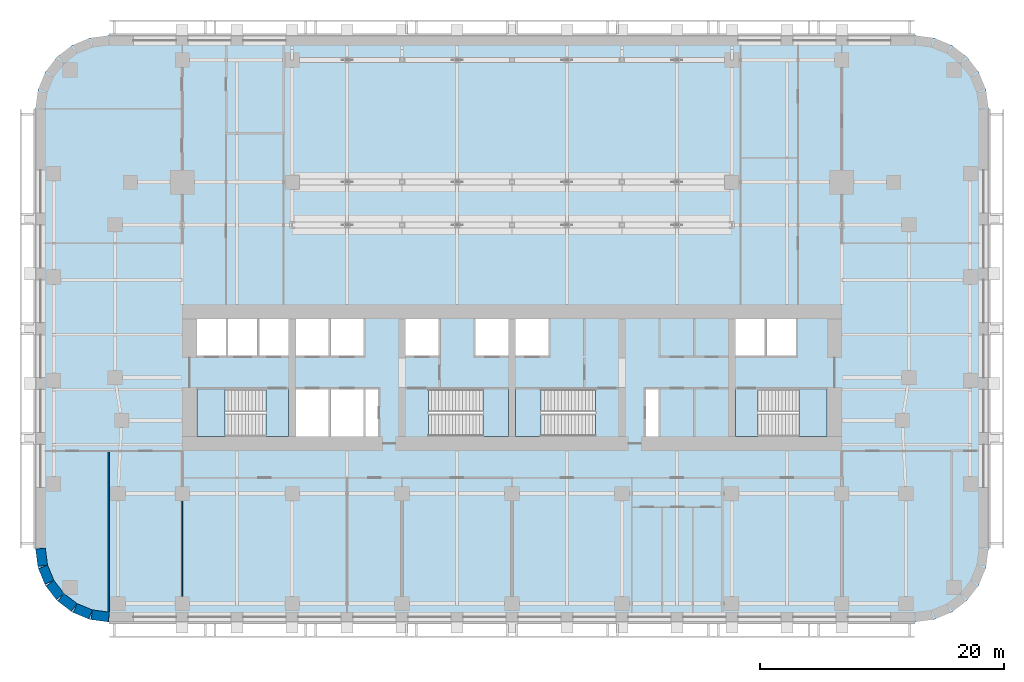
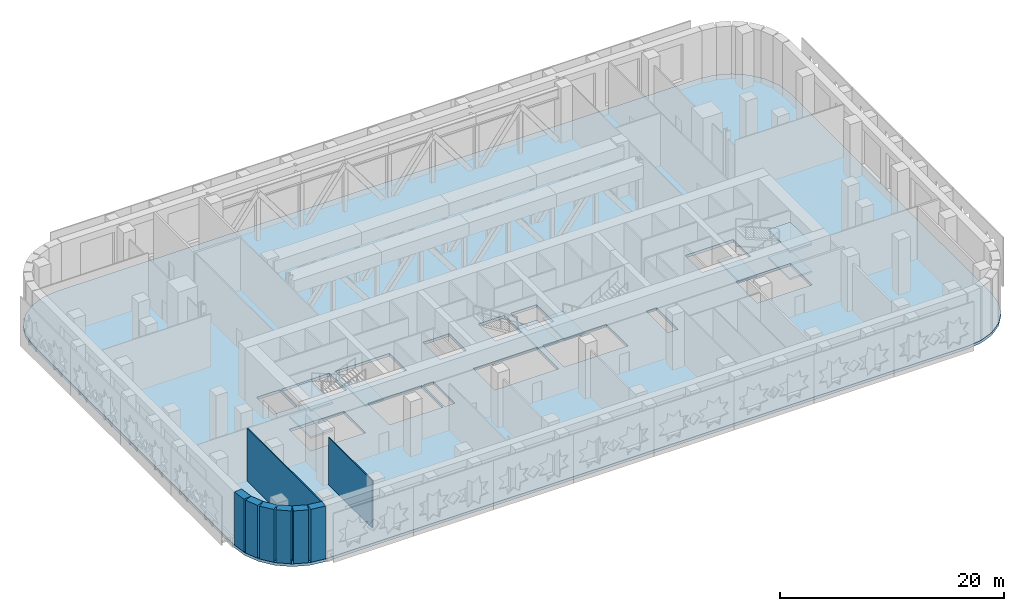
# One storey, part 4 of 15: 9 slabs, 8 walls, 4 elements without a shape of their own.
"""IFC4 building model written with IfcOpenShell, lengths in metres."""

from ifc_helpers import new_model, si_unit, direction, frame, frame_2d, origin, place, context, subcontext, project, spatial, polyline, rectangle, outline, extrude, material, layer, layer_set, type_object, element, aggregate, save


model = new_model("IFC4")

# Units and contexts
model_context = context("Model", 3, precision=1e-05, world=origin(), true_north=direction((0.0, 1.0)))
body_context = subcontext(model_context, "Body", "Model", "MODEL_VIEW")
ifc_project = project(units=[si_unit("LENGTHUNIT", "METRE"), si_unit("AREAUNIT", "SQUARE_METRE"), si_unit("VOLUMEUNIT", "CUBIC_METRE"), si_unit("PLANEANGLEUNIT", "RADIAN"), si_unit("MASSUNIT", "GRAM", prefix="KILO")], contexts=[model_context])

# Site, building, storey
site_placement = place(None, origin())
site = spatial("IfcSite", under=ifc_project, at=site_placement, CompositionType="ELEMENT")
building_placement = place(site_placement, origin())
building = spatial("IfcBuilding", under=site, at=building_placement, Name="Zellij Exchange Tower", CompositionType="ELEMENT")
storey_placement = place(building_placement, frame((0.0, 0.0, 33.0)))
storey = spatial("IfcBuildingStorey", under=building, at=storey_placement, Name="L05", CompositionType="ELEMENT", Elevation=33.0)

# Stair, slabs
ifc_material_1 = material(Name="Concrete C40/50", Category="concrete")
stair_type = type_object("IfcStairType", Name="CORE-ST exit stair 1850 wide", PredefinedType="HALF_TURN_STAIR", material=ifc_material_1)
stair_1_placement = place(storey_placement, origin())
stair_1 = element("IfcStair", 1, at=stair_1_placement, inside=storey, type_object=stair_type, Name="L05 exit stair ST1", PredefinedType="HALF_TURN_STAIR")
ifc_layer_1 = layer(ifc_material_1, 0.199951171875)
ifc_layer_set_1 = layer_set([ifc_layer_1], Name="Concrete C40/50")
slab_type_1 = type_object("IfcSlabType", Name="CORE-SL stair landing 200", PredefinedType="LANDING", material=ifc_layer_set_1)
slab_1_placement = place(storey_placement, frame((0.0, 0.0, 1.300048828125)))
slab_1 = element("IfcSlab", 2, at=slab_1_placement, type_object=slab_type_1, Name="ST1 landing 1", PredefinedType="LANDING", context=body_context, shape_type="SweptSolid", body=[
    extrude(outline(polyline([(-23.510009765625, -8.949951171875), (-25.800048828125, -8.949951171875), (-25.800048828125, -12.800048828125), (-23.510009765625, -12.800048828125), (-23.510009765625, -8.949951171875)])), origin(), (0.0, 0.0, 1.0), 0.199951171875),
])
slab_2_placement = place(storey_placement, frame((0.0, 0.0, 2.800048828125)))
slab_2 = element("IfcSlab", 3, at=slab_2_placement, type_object=slab_type_1, Name="ST1 landing 2", PredefinedType="LANDING", context=body_context, shape_type="SweptSolid", body=[
    extrude(outline(polyline([(-18.300048828125, -8.949951171875), (-20.14990234375, -8.949951171875), (-20.14990234375, -12.800048828125), (-18.300048828125, -12.800048828125), (-18.300048828125, -8.949951171875)])), origin(), (0.0, 0.0, 1.0), 0.199951171875),
])
slab_3_placement = place(storey_placement, frame((0.0, 0.0, 4.300048828125)))
slab_3 = element("IfcSlab", 4, at=slab_3_placement, type_object=slab_type_1, Name="ST1 landing 3", PredefinedType="LANDING", context=body_context, shape_type="SweptSolid", body=[
    extrude(outline(polyline([(-23.510009765625, -8.949951171875), (-25.800048828125, -8.949951171875), (-25.800048828125, -12.800048828125), (-23.510009765625, -12.800048828125), (-23.510009765625, -8.949951171875)])), origin(), (0.0, 0.0, 1.0), 0.199951171875),
])
aggregate(stair_1, [slab_1, slab_2, slab_3])

# Stair, slab
stair_2_placement = place(storey_placement, origin())
stair_2 = element("IfcStair", 5, at=stair_2_placement, inside=storey, type_object=stair_type, Name="L05 exit stair ST2", PredefinedType="HALF_TURN_STAIR")
slab_4_placement = place(storey_placement, frame((0.0, 0.0, 2.800048828125)))
slab_4 = element("IfcSlab", 6, at=slab_4_placement, type_object=slab_type_1, Name="ST2 landing 1", PredefinedType="LANDING", context=body_context, shape_type="SweptSolid", body=[
    extrude(outline(polyline([(-2.3701171875, -12.800048828125), (-0.300048828125, -12.800048828125), (-0.300048828125, -8.949951171875), (-2.3701171875, -8.949951171875), (-2.3701171875, -12.800048828125)])), origin(), (0.0, 0.0, 1.0), 0.199951171875),
])
aggregate(stair_2, [slab_4])

stair_3_placement = place(storey_placement, origin())
stair_3 = element("IfcStair", 7, at=stair_3_placement, inside=storey, type_object=stair_type, Name="L05 exit stair ST3", PredefinedType="HALF_TURN_STAIR")
slab_5_placement = place(storey_placement, frame((0.0, 0.0, 2.800048828125)))
slab_5 = element("IfcSlab", 8, at=slab_5_placement, type_object=slab_type_1, Name="ST3 landing 1", PredefinedType="LANDING", context=body_context, shape_type="SweptSolid", body=[
    extrude(outline(polyline([(2.3701171875, -8.949951171875), (0.300048828125, -8.949951171875), (0.300048828125, -12.800048828125), (2.3701171875, -12.800048828125), (2.3701171875, -8.949951171875)])), origin(), (0.0, 0.0, 1.0), 0.199951171875),
])
aggregate(stair_3, [slab_5])

# Stair, slabs
stair_4_placement = place(storey_placement, origin())
stair_4 = element("IfcStair", 9, at=stair_4_placement, inside=storey, type_object=stair_type, Name="L05 exit stair ST4", PredefinedType="HALF_TURN_STAIR")
slab_6_placement = place(storey_placement, frame((0.0, 0.0, 1.300048828125)))
slab_6 = element("IfcSlab", 10, at=slab_6_placement, type_object=slab_type_1, Name="ST4 landing 1", PredefinedType="LANDING", context=body_context, shape_type="SweptSolid", body=[
    extrude(outline(polyline([(23.510009765625, -12.800048828125), (25.800048828125, -12.800048828125), (25.800048828125, -8.949951171875), (23.510009765625, -8.949951171875), (23.510009765625, -12.800048828125)])), origin(), (0.0, 0.0, 1.0), 0.199951171875),
])
slab_7_placement = place(storey_placement, frame((0.0, 0.0, 2.800048828125)))
slab_7 = element("IfcSlab", 11, at=slab_7_placement, type_object=slab_type_1, Name="ST4 landing 2", PredefinedType="LANDING", context=body_context, shape_type="SweptSolid", body=[
    extrude(outline(polyline([(18.300048828125, -12.800048828125), (20.14990234375, -12.800048828125), (20.14990234375, -8.949951171875), (18.300048828125, -8.949951171875), (18.300048828125, -12.800048828125)])), origin(), (0.0, 0.0, 1.0), 0.199951171875),
])
slab_8_placement = place(storey_placement, frame((0.0, 0.0, 4.300048828125)))
slab_8 = element("IfcSlab", 12, at=slab_8_placement, type_object=slab_type_1, Name="ST4 landing 3", PredefinedType="LANDING", context=body_context, shape_type="SweptSolid", body=[
    extrude(outline(polyline([(23.510009765625, -12.800048828125), (25.800048828125, -12.800048828125), (25.800048828125, -8.949951171875), (23.510009765625, -8.949951171875), (23.510009765625, -12.800048828125)])), origin(), (0.0, 0.0, 1.0), 0.199951171875),
])
aggregate(stair_4, [slab_6, slab_7, slab_8])

# Slab
ifc_material_2 = material(Name="Concrete C50/60", Category="concrete")
ifc_layer_2 = layer(ifc_material_2, 0.300048828125)
ifc_layer_set_2 = layer_set([ifc_layer_2], Name="Concrete C50/60")
slab_type_2 = type_object("IfcSlabType", Name="STR-FLOOR SLAB 300 C50/60", PredefinedType="FLOOR", material=ifc_layer_set_2)
slab_9_placement = place(storey_placement, frame((0.0, 0.0, -0.300048828125)))
element("IfcSlab", 13, at=slab_9_placement, inside=storey, type_object=slab_type_2, Name="Floor L05", PredefinedType="FLOOR", context=body_context, shape_type="SweptSolid", body=[
    extrude(outline(polyline([(-33.0, -28.0), (-34.552978515625, -27.795654296875), (-36.0, -27.1962890625), (-37.24267578125, -26.24267578125), (-38.1962890625, -25.0), (-38.795654296875, -23.552978515625), (-39.0, -22.0), (-39.0, 14.0), (-38.795654296875, 15.552978515625), (-38.1962890625, 17.0), (-37.24267578125, 18.24267578125), (-36.0, 19.1962890625), (-34.552978515625, 19.795654296875), (-33.0, 20.0), (33.0, 20.0), (34.552978515625, 19.795654296875), (36.0, 19.1962890625), (37.24267578125, 18.24267578125), (38.1962890625, 17.0), (38.795654296875, 15.552978515625), (39.0, 14.0), (39.0, -22.0), (38.795654296875, -23.552978515625), (38.1962890625, -25.0), (37.24267578125, -26.24267578125), (36.0, -27.1962890625), (34.552978515625, -27.795654296875), (33.0, -28.0), (-33.0, -28.0)]), holes=[polyline([(-25.800048828125, -8.949951171875), (-25.800048828125, -12.800048828125), (-20.153076171875, -12.800048828125), (-20.153076171875, -8.949951171875), (-25.800048828125, -8.949951171875)]), polyline([(-12.14990234375, -8.949951171875), (-17.699951171875, -8.949951171875), (-17.699951171875, -12.800048828125), (-12.14990234375, -12.800048828125), (-12.14990234375, -8.949951171875)]), polyline([(-10.949951171875, -8.949951171875), (-12.0, -8.949951171875), (-12.0, -12.800048828125), (-10.949951171875, -12.800048828125), (-10.949951171875, -8.949951171875)]), polyline([(-23.39990234375, -3.199951171875), (-25.800048828125, -3.199951171875), (-25.800048828125, -6.22509765625), (-23.39990234375, -6.22509765625), (-23.39990234375, -3.199951171875)]), polyline([(-18.300048828125, -3.199951171875), (-23.25, -3.199951171875), (-23.25, -6.22509765625), (-18.300048828125, -6.22509765625), (-18.300048828125, -3.199951171875)]), polyline([(-12.14990234375, -3.199951171875), (-17.699951171875, -3.199951171875), (-17.699951171875, -6.22509765625), (-12.14990234375, -6.22509765625), (-12.14990234375, -3.199951171875)]), polyline([(-6.0, -3.199951171875), (-8.699951171875, -3.199951171875), (-8.699951171875, -6.22509765625), (-6.0, -6.22509765625), (-6.0, -3.199951171875)]), polyline([(-6.846923828125, -8.949951171875), (-6.846923828125, -12.800048828125), (-0.300048828125, -12.800048828125), (-0.300048828125, -8.949951171875), (-6.846923828125, -8.949951171875)]), polyline([(6.846923828125, -8.949951171875), (0.300048828125, -8.949951171875), (0.300048828125, -12.800048828125), (6.846923828125, -12.800048828125), (6.846923828125, -8.949951171875)]), polyline([(12.0, -8.949951171875), (10.949951171875, -8.949951171875), (10.949951171875, -12.800048828125), (12.0, -12.800048828125), (12.0, -8.949951171875)]), polyline([(25.800048828125, -8.949951171875), (20.153076171875, -8.949951171875), (20.153076171875, -12.800048828125), (25.800048828125, -12.800048828125), (25.800048828125, -8.949951171875)]), polyline([(-0.300048828125, -3.199951171875), (-3.0, -3.199951171875), (-3.0, -6.22509765625), (-0.300048828125, -6.22509765625), (-0.300048828125, -3.199951171875)]), polyline([(3.0, -3.199951171875), (0.300048828125, -3.199951171875), (0.300048828125, -6.22509765625), (3.0, -6.22509765625), (3.0, -3.199951171875)]), polyline([(23.25, -3.199951171875), (18.300048828125, -3.199951171875), (18.300048828125, -6.22509765625), (23.25, -6.22509765625), (23.25, -3.199951171875)])]), origin(), (0.0, 0.0, 1.0), 0.300048828125),
])

# Walls
ifc_material_3 = material(Name="Precast concrete C40/50", Category="concrete")
ifc_layer_3 = layer(ifc_material_3, 0.800048828125)
ifc_layer_set_3 = layer_set([ifc_layer_3], Name="Precast concrete C40/50")
wall_type_1 = type_object("IfcWallType", Name="ENV-EW1 Precast stone-piered wall 800", PredefinedType="SOLIDWALL", material=ifc_layer_set_3)
wall_1_placement = place(storey_placement, frame((-38.5966796875, -21.999755859375, 0.0), z_axis=(0.0, 0.0, 1.0), x_axis=(0.130517283865, -0.99144603414, 0.0)))
element("IfcWall", 14, at=wall_1_placement, inside=storey, type_object=wall_type_1, Name="fac.L05.22", PredefinedType="SOLIDWALL", context=body_context, shape_type="SweptSolid", body=[
    extrude(rectangle(XDim=1.408447265625, YDim=0.800048828125, at=frame_2d((0.7041015625, 0.0))), origin(), (0.0, 0.0, 1.0), 5.75),
])
wall_2_placement = place(storey_placement, frame((-38.3857421875, -23.497314453125, 0.0), z_axis=(0.0, 0.0, 1.0), x_axis=(0.38276009378, -0.923847774587, 0.0)))
element("IfcWall", 15, at=wall_2_placement, inside=storey, type_object=wall_type_1, Name="fac.L05.23", PredefinedType="SOLIDWALL", context=body_context, shape_type="SweptSolid", body=[
    extrude(rectangle(XDim=1.35546875, YDim=0.800048828125, at=frame_2d((0.677734375, 0.0))), origin(), (0.0, 0.0, 1.0), 5.75),
])
for number, where, z_axis, x_axis, name in (
    (16, (-37.814697265625, -24.840087890625, 0.0), (0.0, 0.0, 1.0), (0.608866226366, -0.793272915452, 0.0), "fac.L05.24"),
    (17, (-36.91552734375, -25.9892578125, 0.0), (0.0, 0.0, 1.0), (0.793272915452, -0.608866226366, 0.0), "fac.L05.25"),
):
    element("IfcWall", number, at=place(storey_placement, frame(where, z_axis=z_axis, x_axis=x_axis)), inside=storey, type_object=wall_type_1, Name=name, PredefinedType="SOLIDWALL", context=body_context, shape_type="SweptSolid", body=[
        extrude(rectangle(XDim=1.355712890625, YDim=0.800048828125, at=frame_2d((0.677734375, 0.0))), origin(), (0.0, 0.0, 1.0), 5.75),
    ])
wall_3_placement = place(storey_placement, frame((-35.74951171875, -26.866943359375, 0.0), z_axis=(0.0, 0.0, 1.0), x_axis=(0.923847774587, -0.38276009378, 0.0)))
element("IfcWall", 18, at=wall_3_placement, inside=storey, type_object=wall_type_1, Name="fac.L05.26", PredefinedType="SOLIDWALL", context=body_context, shape_type="SweptSolid", body=[
    extrude(rectangle(XDim=1.35546875, YDim=0.800048828125, at=frame_2d((0.677734375, 0.0))), origin(), (0.0, 0.0, 1.0), 5.75),
])
wall_4_placement = place(storey_placement, frame((-34.396240234375, -27.412841796875, 0.0), z_axis=(0.0, 0.0, 1.0), x_axis=(0.99144603414, -0.130517283865, 0.0)))
element("IfcWall", 19, at=wall_4_placement, inside=storey, type_object=wall_type_1, Name="fac.L05.27", PredefinedType="SOLIDWALL", context=body_context, shape_type="SweptSolid", body=[
    extrude(rectangle(XDim=1.408447265625, YDim=0.800048828125, at=frame_2d((0.7041015625, 0.0))), origin(), (0.0, 0.0, 1.0), 5.75),
])
ifc_material_4 = material(Name="Gypsum board partition on steel studs", Category="steel")
ifc_layer_4 = layer(ifc_material_4, 0.10009765625)
ifc_layer_set_4 = layer_set([ifc_layer_4], Name="Gypsum board partition on steel studs")
wall_type_2 = type_object("IfcWallType", Name="FIT-PARTITION-100", PredefinedType="PARTITIONING", material=ifc_layer_set_4)
wall_5_placement = place(storey_placement, frame((-27.0, -25.89990234375, 0.0), z_axis=(0.0, 0.0, 1.0), x_axis=(0.0, 1.0, 0.0)))
element("IfcWall", 20, at=wall_5_placement, inside=storey, type_object=wall_type_2, Name="FIT-PARTITION-100 001", PredefinedType="PARTITIONING", context=body_context, shape_type="SweptSolid", body=[
    extrude(rectangle(XDim=7.7998046875, YDim=0.10009765625, at=frame_2d((3.89990234375, 0.0))), origin(), (0.0, 0.0, 1.0), 5.137939453125),
])
wall_6_placement = place(storey_placement, frame((-33.0, -27.18994140625, 0.0), z_axis=(0.0, 0.0, 1.0), x_axis=(0.0, 1.0, 0.0)))
element("IfcWall", 21, at=wall_6_placement, inside=storey, type_object=wall_type_2, Name="FIT-PARTITION-100 015", PredefinedType="PARTITIONING", context=body_context, shape_type="SweptSolid", body=[
    extrude(rectangle(XDim=13.139892578125, YDim=0.10009765625, at=frame_2d((6.56982421875, 0.0))), origin(), (0.0, 0.0, 1.0), 5.75),
])

save(model, "model.ifc")
